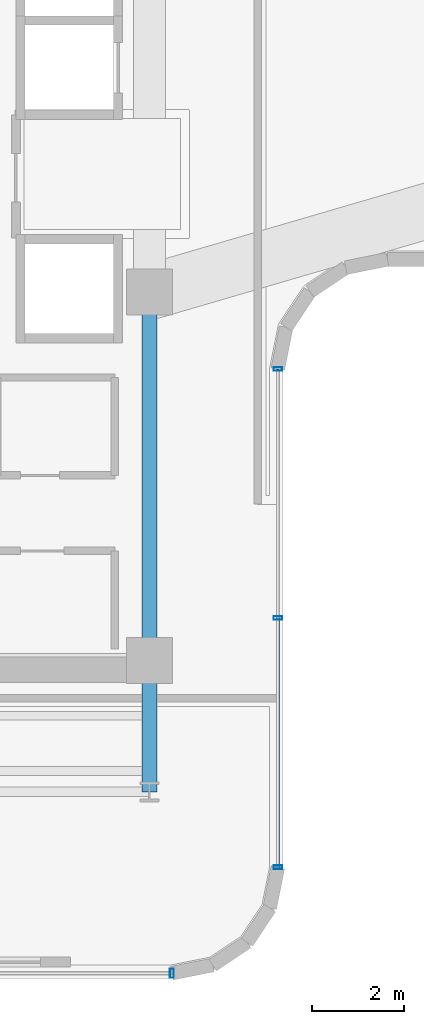
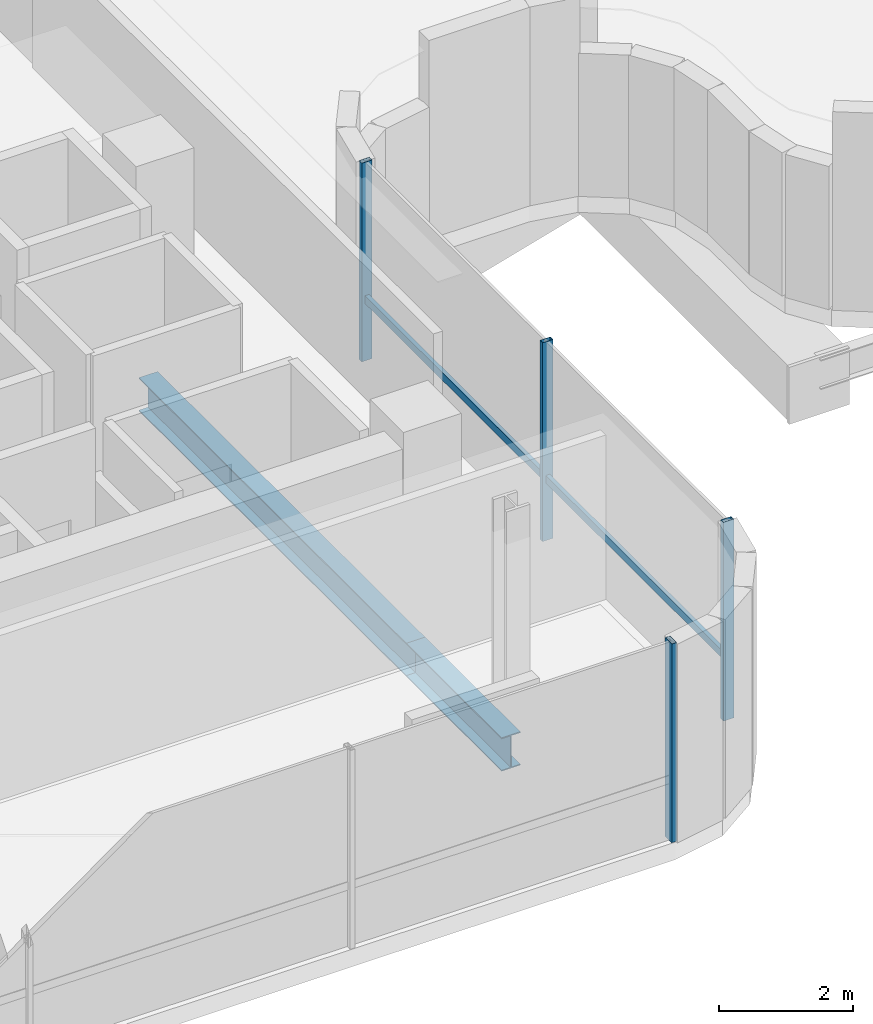
# One storey, part 6 of 37: 5 members, 2 beams, 2 elements without a shape of their own.
"""IFC4 building model written with IfcOpenShell, lengths in metres."""

from ifc_helpers import new_model, si_unit, direction, frame, origin, origin_2d, place, context, subcontext, project, spatial, hollow_rectangle, i_section, extrude, source, transform, mapped, material, material_profile, profile_set, type_object, element, aggregate, save


model = new_model("IFC4")

# Units and contexts
model_context = context("Model", 3, precision=1e-05, world=origin(), true_north=direction((0.0, 1.0)))
body_context = subcontext(model_context, "Body", "Model", "MODEL_VIEW")
ifc_project = project(units=[si_unit("LENGTHUNIT", "METRE"), si_unit("AREAUNIT", "SQUARE_METRE"), si_unit("VOLUMEUNIT", "CUBIC_METRE"), si_unit("PLANEANGLEUNIT", "RADIAN"), si_unit("MASSUNIT", "GRAM", prefix="KILO")], contexts=[model_context])

# Site, building, storey
site_placement = place(None, origin())
site = spatial("IfcSite", under=ifc_project, at=site_placement, CompositionType="ELEMENT")
building_placement = place(site_placement, origin())
building = spatial("IfcBuilding", under=site, at=building_placement, Name="Valdorenza Pilgrim Sanctuary Tower", CompositionType="ELEMENT")
storey_placement = place(building_placement, frame((0.0, 0.0, 188.39990234375)))
storey = spatial("IfcBuildingStorey", under=building, at=storey_placement, Name="L48", CompositionType="ELEMENT", Elevation=188.39990234375)

# Beams
ifc_material_1 = material(Name="Steel ASTM A992 Grade 50", Category="steel")
ifc_material_profile_1 = material_profile(ifc_material_1, i_section(OverallWidth=0.323974609375, OverallDepth=0.611083984375, WebThickness=0.0126953125, FlangeThickness=0.01904296875, at=origin_2d()), Name="W24X104")
ifc_profile_set_1 = profile_set([ifc_material_profile_1], Name="Steel ASTM A992 Grade 50")
beam_type = type_object("IfcBeamType", Name="STR-BM-GRD-W24B", PredefinedType="BEAM", material=ifc_profile_set_1)
shared_shape_1 = source(origin(), body_context, "Body", "SweptSolid", [
    extrude(i_section(OverallWidth=0.323974609375, OverallDepth=0.611083984375, WebThickness=0.0126953125, FlangeThickness=0.01904296875, at=origin_2d()), origin(), (0.0, 0.0, 1.0), 8.0),
])
beam_1_placement = place(storey_placement, frame((-12.39990234375, -10.60009765625, -0.62548828125), z_axis=(0.0, 1.0, 0.0), x_axis=(-1.0, 0.0, 0.0)))
element("IfcBeam", 1, at=beam_1_placement, inside=storey, type_object=beam_type, Name="L48 Core Tie Girder CA-E-S1M0", PredefinedType="BEAM", context=body_context, shape_type="MappedRepresentation", body=[
    mapped(shared_shape_1, transform((0.0, 0.0, 0.0), x_axis=(1.0, 0.0, 0.0), y_axis=(0.0, 1.0, 0.0), z_axis=(0.0, 0.0, 1.0), scale=1.0)),
])
shared_shape_2 = source(origin(), body_context, "Body", "SweptSolid", [
    extrude(i_section(OverallWidth=0.323974609375, OverallDepth=0.611083984375, WebThickness=0.0126953125, FlangeThickness=0.01904296875, at=origin_2d()), origin(), (0.0, 0.0, 1.0), 2.849853515625),
])
beam_2_placement = place(storey_placement, frame((-12.39990234375, -13.449951171875, -0.62548828125), z_axis=(0.0, 1.0, 0.0), x_axis=(-1.0, 0.0, 0.0)))
element("IfcBeam", 2, at=beam_2_placement, inside=storey, type_object=beam_type, Name="L48 Floor Girder WA-S-LE", PredefinedType="BEAM", context=body_context, shape_type="MappedRepresentation", body=[
    mapped(shared_shape_2, transform((0.0, 0.0, 0.0), x_axis=(1.0, 0.0, 0.0), y_axis=(0.0, 1.0, 0.0), z_axis=(0.0, 0.0, 1.0), scale=1.0)),
])

# Curtain wall, member
ifc_material_2 = material(Name="Curtain-wall IGU glazing", Category="glass")
curtain_wall_type_1 = type_object("IfcCurtainWallType", Name="CW-SYS-05", PredefinedType="NOTDEFINED", material=ifc_material_2)
curtain_wall_1_placement = place(storey_placement, origin())
curtain_wall_1 = element("IfcCurtainWall", 3, at=curtain_wall_1_placement, inside=storey, type_object=curtain_wall_type_1, Name="L48 Curtain Wall CW-L48-1-77", PredefinedType="NOTDEFINED")
ifc_material_3 = material(Name="Anodised aluminium AW-6060", Category="aluminium")
ifc_material_profile_2 = material_profile(ifc_material_3, hollow_rectangle(XDim=0.070068359375, YDim=0.139892578125, WallThickness=0.00341796875, at=origin_2d()), Name="ALU-T 140x70x3.5")
ifc_profile_set_2 = profile_set([ifc_material_profile_2], Name="Anodised aluminium AW-6060")
member_type_1 = type_object("IfcMemberType", Name="CW-TRN-05", PredefinedType="USERDEFINED", material=ifc_profile_set_2)
shared_shape_3 = source(origin(), body_context, "Body", "SweptSolid", [
    extrude(hollow_rectangle(XDim=0.070068359375, YDim=0.139892578125, WallThickness=0.00341796875, at=origin_2d()), origin(), (0.0, 0.0, 1.0), 10.81982421875),
])
member_1_placement = place(storey_placement, frame((-9.610107421875, -4.269287109375, 1.1201171875), z_axis=(0.0, -1.0, 0.0), x_axis=(1.0, 0.0, 0.0)))
member_1 = element("IfcMember", 4, at=member_1_placement, type_object=member_type_1, Name="CW-L48-1-77 Transom 1", ObjectType="TRANSOM", PredefinedType="USERDEFINED", context=body_context, shape_type="MappedRepresentation", body=[
    mapped(shared_shape_3, transform((0.0, 0.0, 0.0), x_axis=(1.0, 0.0, 0.0), y_axis=(0.0, 1.0, 0.0), z_axis=(0.0, 0.0, 1.0), scale=1.0)),
])

curtain_wall_type_2 = type_object("IfcCurtainWallType", Name="CW-SYS-02", PredefinedType="NOTDEFINED", material=ifc_material_2)
curtain_wall_2_placement = place(storey_placement, origin())
curtain_wall_2 = element("IfcCurtainWall", 5, at=curtain_wall_2_placement, inside=storey, type_object=curtain_wall_type_2, Name="L48 Curtain Wall CW-L48-1-82", PredefinedType="NOTDEFINED")
ifc_material_profile_3 = material_profile(ifc_material_3, hollow_rectangle(XDim=0.0849609375, YDim=0.199951171875, WallThickness=0.0048828125, at=origin_2d()), Name="ALU-M 200x85x5")
ifc_profile_set_3 = profile_set([ifc_material_profile_3], Name="Anodised aluminium AW-6060")
member_type_2 = type_object("IfcMemberType", Name="CW-MUL-02", PredefinedType="MULLION", material=ifc_profile_set_3)
shared_shape_4 = source(origin(), body_context, "Body", "SweptSolid", [
    extrude(hollow_rectangle(XDim=0.0849609375, YDim=0.199951171875, WallThickness=0.0048828125, at=origin_2d()), origin(), (0.0, 0.0, 1.0), 3.630126953125),
])
member_2_placement = place(storey_placement, frame((-11.910888671875, -17.389892578125, 0.0), z_axis=(0.0, 0.0, 1.0), x_axis=(-1.0, 0.0, 0.0)))
member_2 = element("IfcMember", 6, at=member_2_placement, type_object=member_type_2, Name="CW-L48-1-82 Mullion 1", PredefinedType="MULLION", context=body_context, shape_type="MappedRepresentation", body=[
    mapped(shared_shape_4, transform((0.0, 0.0, 0.0), x_axis=(1.0, 0.0, 0.0), y_axis=(0.0, 1.0, 0.0), z_axis=(0.0, 0.0, 1.0), scale=1.0)),
])
aggregate(curtain_wall_2, [member_2])

# Member
ifc_material_profile_4 = material_profile(ifc_material_3, hollow_rectangle(XDim=0.080078125, YDim=0.179931640625, WallThickness=0.00439453125, at=origin_2d()), Name="ALU-M 180x80x4.5")
ifc_profile_set_4 = profile_set([ifc_material_profile_4], Name="Anodised aluminium AW-6060")
member_type_3 = type_object("IfcMemberType", Name="CW-MUL-05", PredefinedType="MULLION", material=ifc_profile_set_4)
shared_shape_5 = source(origin(), body_context, "Body", "SweptSolid", [
    extrude(hollow_rectangle(XDim=0.080078125, YDim=0.179931640625, WallThickness=0.00439453125, at=origin_2d()), origin(), (0.0, 0.0, 1.0), 3.630126953125),
])
member_3_placement = place(storey_placement, frame((-9.610107421875, -4.269287109375, 0.0), z_axis=(0.0, 0.0, 1.0), x_axis=(0.0, -1.0, 0.0)))
member_3 = element("IfcMember", 7, at=member_3_placement, type_object=member_type_3, Name="CW-L48-1-77 Mullion 1", PredefinedType="MULLION", context=body_context, shape_type="MappedRepresentation", body=[
    mapped(shared_shape_5, transform((0.0, 0.0, 0.0), x_axis=(1.0, 0.0, 0.0), y_axis=(0.0, 1.0, 0.0), z_axis=(0.0, 0.0, 1.0), scale=1.0)),
])

member_4_placement = place(storey_placement, frame((-9.610107421875, -9.67919921875, 0.0), z_axis=(0.0, 0.0, 1.0), x_axis=(0.0, -1.0, 0.0)))
member_4 = element("IfcMember", 8, at=member_4_placement, type_object=member_type_3, Name="CW-L48-1-77 Mullion 2", PredefinedType="MULLION", context=body_context, shape_type="MappedRepresentation", body=[
    mapped(shared_shape_5, transform((0.0, 0.0, 0.0), x_axis=(1.0, 0.0, 0.0), y_axis=(0.0, 1.0, 0.0), z_axis=(0.0, 0.0, 1.0), scale=1.0)),
])

member_5_placement = place(storey_placement, frame((-9.610107421875, -15.089111328125, 0.0), z_axis=(0.0, 0.0, 1.0), x_axis=(0.0, -1.0, 0.0)))
member_5 = element("IfcMember", 9, at=member_5_placement, type_object=member_type_3, Name="CW-L48-1-77 Mullion 3", PredefinedType="MULLION", context=body_context, shape_type="MappedRepresentation", body=[
    mapped(shared_shape_5, transform((0.0, 0.0, 0.0), x_axis=(1.0, 0.0, 0.0), y_axis=(0.0, 1.0, 0.0), z_axis=(0.0, 0.0, 1.0), scale=1.0)),
])

aggregate(curtain_wall_1, [member_3, member_4, member_5, member_1])

save(model, "model.ifc")
